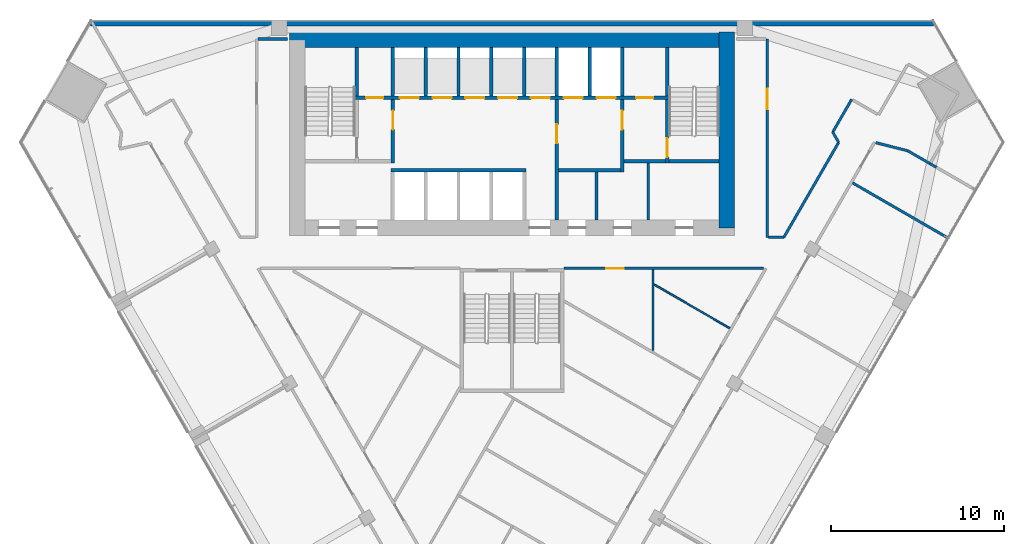
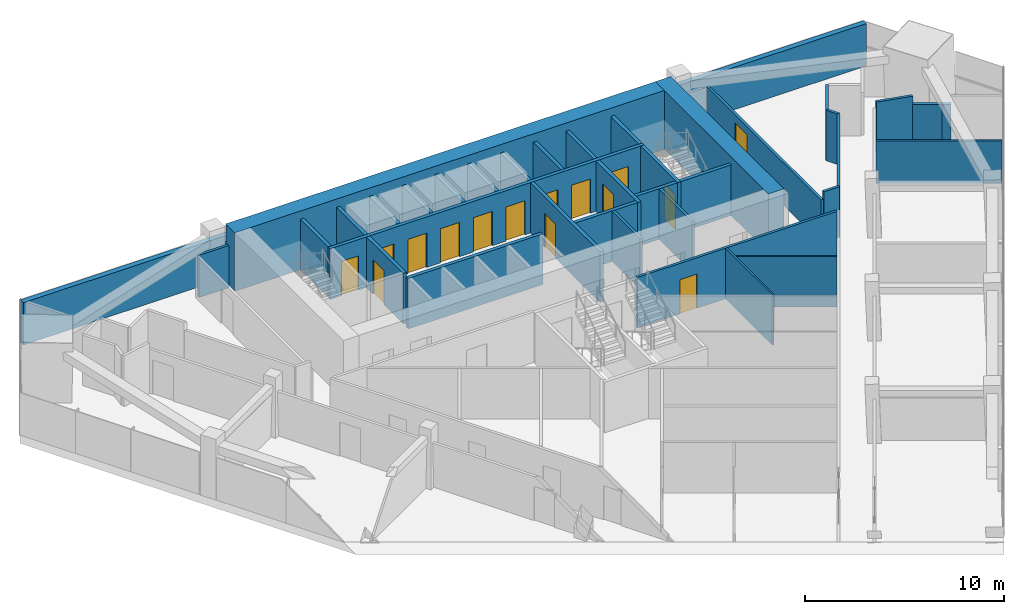
# One storey, part 11 of 14: 37 walls, 15 doors, 15 openings.
"""IFC4 building model written with IfcOpenShell, lengths in metres."""

from ifc_helpers import new_model, si_unit, direction, frame, frame_2d, origin, place, context, subcontext, project, spatial, rectangle, extrude, material, layer, layer_set, type_object, element, fill, save


model = new_model("IFC4")

# Units and contexts
model_context = context("Model", 3, precision=1e-05, world=origin(), true_north=direction((0.0, 1.0)))
body_context = subcontext(model_context, "Body", "Model", "MODEL_VIEW")
ifc_project = project(units=[si_unit("LENGTHUNIT", "METRE"), si_unit("AREAUNIT", "SQUARE_METRE"), si_unit("VOLUMEUNIT", "CUBIC_METRE"), si_unit("PLANEANGLEUNIT", "RADIAN"), si_unit("MASSUNIT", "GRAM", prefix="KILO")], contexts=[model_context])

# Site, building, storey
site_placement = place(None, origin())
site = spatial("IfcSite", under=ifc_project, at=site_placement, CompositionType="ELEMENT")
building_placement = place(site_placement, origin())
building = spatial("IfcBuilding", under=site, at=building_placement, Name="Altiplano Prism Tower", CompositionType="ELEMENT")
storey_placement = place(building_placement, frame((0.0, 0.0, 111.60009765625)))
storey = spatial("IfcBuildingStorey", under=building, at=storey_placement, Name="L28", CompositionType="ELEMENT", Elevation=111.60009765625)

# Walls
ifc_material_1 = material(Name="Concrete C70/85", Category="concrete")
ifc_layer_1 = layer(ifc_material_1, 0.89990234375)
ifc_layer_set_1 = layer_set([ifc_layer_1], Name="Concrete C70/85")
wall_type_1 = type_object("IfcWallType", Name="Core wall 900", PredefinedType="SHEAR", material=ifc_layer_set_1)
wall_1_placement = place(storey_placement, frame((97.449951171875, 92.949951171875, 0.0), z_axis=(0.0, 0.0, 1.0), x_axis=(0.0, 1.0, 0.0)))
element("IfcWall", 1, at=wall_1_placement, inside=storey, type_object=wall_type_1, Name="Core wall E L28", PredefinedType="SHEAR", context=body_context, shape_type="SweptSolid", body=[
    extrude(rectangle(XDim=11.35009765625, YDim=0.89990234375, at=frame_2d((5.675048828125, 0.0))), origin(), (0.0, 0.0, 1.0), 3.599853515625),
])
wall_2_placement = place(storey_placement, frame((97.449951171875, 103.85009765625, 0.0), z_axis=(0.0, 0.0, 1.0), x_axis=(-1.0, 0.0, 0.0)))
element("IfcWall", 2, at=wall_2_placement, inside=storey, type_object=wall_type_1, Name="Core wall N L28", PredefinedType="SHEAR", context=body_context, shape_type="SweptSolid", body=[
    extrude(rectangle(XDim=25.349853515625, YDim=0.89990234375, at=frame_2d((12.6748046875, 0.0))), origin(), (0.0, 0.0, 1.0), 3.599853515625),
])
ifc_material_2 = material(Name="Plasterboard on steel stud", Category="steel")
ifc_layer_2 = layer(ifc_material_2, 0.10009765625)
ifc_layer_set_2 = layer_set([ifc_layer_2], Name="Plasterboard on steel stud")
wall_type_2 = type_object("IfcWallType", Name="Partition 100 wet", PredefinedType="PARTITIONING", material=ifc_layer_set_2)
wall_3_placement = place(storey_placement, frame((93.243896484375, 89.664306640625, 0.0), z_axis=(0.0, 0.0, 1.0), x_axis=(0.866023345283, -0.500003565412, 0.0)))
element("IfcWall", 3, at=wall_3_placement, inside=storey, type_object=wall_type_2, Name="Partition P03 L28 034", PredefinedType="PARTITIONING", context=body_context, shape_type="SweptSolid", body=[
    extrude(rectangle(XDim=5.06201171875, YDim=0.10009765625, at=frame_2d((2.531005859375, 0.0))), origin(), (0.0, 0.0, 1.0), 3.099853515625),
])
wall_4_placement = place(storey_placement, frame((93.1689453125, 90.5244140625, 0.0), z_axis=(0.0, 0.0, 1.0), x_axis=(0.0, -1.0, 0.0)))
element("IfcWall", 4, at=wall_4_placement, inside=storey, type_object=wall_type_2, Name="Partition P03 L28 036", PredefinedType="PARTITIONING", context=body_context, shape_type="SweptSolid", body=[
    extrude(rectangle(XDim=4.675537109375, YDim=0.10009765625, at=frame_2d((2.337890625, 0.0))), origin(), (0.0, 0.0, 1.0), 3.099853515625),
])

# Wall, opening, door
ifc_layer_3 = layer(ifc_material_2, 0.14990234375)
ifc_layer_set_3 = layer_set([ifc_layer_3], Name="Plasterboard on steel stud")
wall_type_3 = type_object("IfcWallType", Name="Partition 150 corridor", PredefinedType="PARTITIONING", material=ifc_layer_set_3)
wall_5_placement = place(storey_placement, frame((88.0, 90.59912109375, 0.0), z_axis=(0.0, 0.0, 1.0), x_axis=(0.999999996448, 8.429038e-05, 0.0)))
wall_5 = element("IfcWall", 5, at=wall_5_placement, inside=storey, type_object=wall_type_3, Name="Partition P06 L28 001", PredefinedType="PARTITIONING", context=body_context, shape_type="SweptSolid", body=[
    extrude(rectangle(XDim=11.585693359375, YDim=0.14990234375, at=frame_2d((5.79296875, 0.0))), origin(), (0.0, 0.0, 1.0), 3.099853515625),
])
opening_1_placement = place(wall_5_placement, frame((2.465087890625, 0.0, 0.0)))
opening_1 = element("IfcOpeningElement", 6, at=opening_1_placement, cuts=wall_5, Name="Opening D1044", PredefinedType="OPENING", context=body_context, shape_type="SweptSolid", body=[
    extrude(rectangle(XDim=1.0, YDim=2.10009765625, at=frame_2d((0.5, 1.050048828125))), frame((0.0, 0.08544921875, 0.0), z_axis=(0.0, -1.0, 0.0), x_axis=(1.0, 0.0, 0.0)), (0.0, 0.0, 1.0), 0.1708984375),
])
ifc_material_3 = material(Name="Timber", Category="wood")
door_type_1 = type_object("IfcDoorType", Name="Room door 1000 x 2100", OperationType="NOTDEFINED", PredefinedType="NOTDEFINED", material=ifc_material_3)
door_1_placement = place(opening_1_placement, origin())
door_1 = element("IfcDoor", 7, at=door_1_placement, inside=storey, type_object=door_type_1, Name="Door D1044", OperationType="SINGLE_SWING_RIGHT", OverallHeight=2.10009765625, OverallWidth=1.0, PredefinedType="NOTDEFINED", context=body_context, shape_type="SweptSolid", body=[
    extrude(rectangle(XDim=1.0, YDim=2.10009765625, at=frame_2d((0.5, 1.050048828125))), frame((0.0, 0.02490234375, 0.0), z_axis=(0.0, -1.0, 0.0), x_axis=(1.0, 0.0, 0.0)), (0.0, 0.0, 1.0), 0.050048828125),
])
fill(opening_1, door_1)

# Walls
wall_6_placement = place(storey_placement, frame((106.082275390625, 97.888671875, 0.0), z_axis=(0.0, 0.0, 1.0), x_axis=(0.969923333145, -0.24341061567, 0.0)))
element("IfcWall", 8, at=wall_6_placement, inside=storey, type_object=wall_type_3, Name="Partition P06 L28 011", PredefinedType="PARTITIONING", context=body_context, shape_type="SweptSolid", body=[
    extrude(rectangle(XDim=1.90380859375, YDim=0.14990234375, at=frame_2d((0.951904296875, 0.0))), origin(), (0.0, 0.0, 1.0), 3.099853515625),
])
wall_7_placement = place(storey_placement, frame((107.9287109375, 97.42529296875, 0.0), z_axis=(0.0, 0.0, 1.0), x_axis=(0.866030456496, -0.499991248344, 0.0)))
element("IfcWall", 9, at=wall_7_placement, inside=storey, type_object=wall_type_3, Name="Partition P06 L28 012", PredefinedType="PARTITIONING", context=body_context, shape_type="SweptSolid", body=[
    extrude(rectangle(XDim=1.52001953125, YDim=0.14990234375, at=frame_2d((0.760009765625, 0.0))), origin(), (0.0, 0.0, 1.0), 2.599853515625),
])
wall_8_placement = place(storey_placement, frame((104.68798828125, 100.39990234375, 0.0), z_axis=(0.0, 0.0, 1.0), x_axis=(-0.500005024956, -0.866022502605, 0.0)))
element("IfcWall", 10, at=wall_8_placement, inside=storey, type_object=wall_type_3, Name="Partition P06 L28 019", PredefinedType="PARTITIONING", context=body_context, shape_type="SweptSolid", body=[
    extrude(rectangle(XDim=2.19384765625, YDim=0.14990234375, at=frame_2d((1.096923828125, 0.0))), origin(), (0.0, 0.0, 1.0), 3.099853515625),
])
wall_9_placement = place(storey_placement, frame((103.591064453125, 98.5, 0.0), z_axis=(0.0, 0.0, 1.0), x_axis=(0.499969057507, -0.866043267704, 0.0)))
element("IfcWall", 11, at=wall_9_placement, inside=storey, type_object=wall_type_3, Name="Partition P06 L28 020", PredefinedType="PARTITIONING", context=body_context, shape_type="SweptSolid", body=[
    extrude(rectangle(XDim=0.685546875, YDim=0.14990234375, at=frame_2d((0.3427734375, 0.0))), origin(), (0.0, 0.0, 1.0), 3.099853515625),
])
wall_10_placement = place(storey_placement, frame((103.933837890625, 97.90625, 0.0), z_axis=(0.0, 0.0, 1.0), x_axis=(-0.499983931063, -0.866034680991, 0.0)))
element("IfcWall", 12, at=wall_10_placement, inside=storey, type_object=wall_type_3, Name="Partition P06 L28 021", PredefinedType="PARTITIONING", context=body_context, shape_type="SweptSolid", body=[
    extrude(rectangle(XDim=6.358154296875, YDim=0.14990234375, at=frame_2d((3.17919921875, 0.0))), origin(), (0.0, 0.0, 1.0), 3.099853515625),
])
wall_11_placement = place(storey_placement, frame((100.7548828125, 92.39990234375, 0.0), z_axis=(0.0, 0.0, 1.0), x_axis=(-1.0, 0.0, 0.0)))
element("IfcWall", 13, at=wall_11_placement, inside=storey, type_object=wall_type_3, Name="Partition P06 L28 022", PredefinedType="PARTITIONING", context=body_context, shape_type="SweptSolid", body=[
    extrude(rectangle(XDim=0.8798828125, YDim=0.14990234375, at=frame_2d((0.43994140625, 0.0))), origin(), (0.0, 0.0, 1.0), 3.099853515625),
])

# Wall, opening, door
wall_12_placement = place(storey_placement, frame((99.800048828125, 92.39990234375, 0.0), z_axis=(0.0, 0.0, 1.0), x_axis=(0.0, 1.0, 0.0)))
wall_12 = element("IfcWall", 14, at=wall_12_placement, inside=storey, type_object=wall_type_3, Name="Partition P06 L28 023", PredefinedType="PARTITIONING", context=body_context, shape_type="SweptSolid", body=[
    extrude(rectangle(XDim=11.5, YDim=0.14990234375, at=frame_2d((5.75, 0.0))), origin(), (0.0, 0.0, 1.0), 2.599853515625),
])
opening_2_placement = place(wall_12_placement, frame((7.425048828125, 0.0, 0.0)))
opening_2 = element("IfcOpeningElement", 15, at=opening_2_placement, cuts=wall_12, Name="Opening D1032", PredefinedType="OPENING", context=body_context, shape_type="SweptSolid", body=[
    extrude(rectangle(XDim=1.199951171875, YDim=2.10009765625, at=frame_2d((0.60009765625, 1.050048828125))), frame((0.0, 0.08544921875, 0.0), z_axis=(0.0, -1.0, 0.0), x_axis=(1.0, 0.0, 0.0)), (0.0, 0.0, 1.0), 0.1708984375),
])
door_type_2 = type_object("IfcDoorType", Name="Shared room door 1200 x 2100", OperationType="NOTDEFINED", PredefinedType="NOTDEFINED", material=ifc_material_3)
door_2_placement = place(opening_2_placement, origin())
door_2 = element("IfcDoor", 16, at=door_2_placement, inside=storey, type_object=door_type_2, Name="Door D1032", OperationType="SINGLE_SWING_LEFT", OverallHeight=2.10009765625, OverallWidth=1.199951171875, PredefinedType="NOTDEFINED", context=body_context, shape_type="SweptSolid", body=[
    extrude(rectangle(XDim=1.199951171875, YDim=2.10009765625, at=frame_2d((0.60009765625, 1.050048828125))), frame((0.0, 0.02490234375, 0.0), z_axis=(0.0, -1.0, 0.0), x_axis=(1.0, 0.0, 0.0)), (0.0, 0.0, 1.0), 0.050048828125),
])
fill(opening_2, door_2)

# Walls
wall_13_placement = place(storey_placement, frame((72.0, 103.89990234375, 0.0), z_axis=(0.0, 0.0, 1.0), x_axis=(-1.0, 0.0, 0.0)))
element("IfcWall", 17, at=wall_13_placement, inside=storey, type_object=wall_type_3, Name="Partition P06 L28 025", PredefinedType="PARTITIONING", context=body_context, shape_type="SweptSolid", body=[
    extrude(rectangle(XDim=1.72509765625, YDim=0.14990234375, at=frame_2d((0.862548828125, 0.0))), origin(), (0.0, 0.0, 1.0), 2.599853515625),
])
ifc_layer_4 = layer(ifc_material_2, 0.14990234375)
ifc_layer_set_4 = layer_set([ifc_layer_4], Name="Plasterboard on steel stud")
wall_type_4 = type_object("IfcWallType", Name="Partition 150 party", PredefinedType="PARTITIONING", material=ifc_layer_set_4)
wall_14_placement = place(storey_placement, frame((110.22021484375, 92.394287109375, 0.0), z_axis=(0.0, 0.0, 1.0), x_axis=(-0.866015887322, 0.500016482634, 0.0)))
element("IfcWall", 18, at=wall_14_placement, inside=storey, type_object=wall_type_4, Name="Partition P01 L28 050", PredefinedType="PARTITIONING", context=body_context, shape_type="SweptSolid", body=[
    extrude(rectangle(XDim=6.324951171875, YDim=0.14990234375, at=frame_2d((3.16259765625, 0.0))), origin(), (0.0, 0.0, 1.0), 2.599853515625),
])
wall_15_placement = place(storey_placement, frame((109.603271484375, 96.45849609375, 0.0), z_axis=(0.0, 0.0, 1.0), x_axis=(-0.866016800201, 0.500014901547, 0.0)))
element("IfcWall", 19, at=wall_15_placement, inside=storey, type_object=wall_type_4, Name="Partition P01 L28 052", PredefinedType="PARTITIONING", context=body_context, shape_type="SweptSolid", body=[
    extrude(rectangle(XDim=0.43359375, YDim=0.14990234375, at=frame_2d((0.216796875, 0.0))), origin(), (0.0, 0.0, 1.0), 2.599853515625),
])
ifc_material_4 = material(Name="Fire-rated gypsum board partition")
ifc_layer_5 = layer(ifc_material_4, 0.14990234375)
ifc_layer_set_5 = layer_set([ifc_layer_5], Name="Fire-rated gypsum board partition")
wall_type_5 = type_object("IfcWallType", Name="Room partition 150", PredefinedType="PARTITIONING", material=ifc_layer_set_5)
wall_16_placement = place(storey_placement, frame((89.89990234375, 93.39990234375, 0.0), z_axis=(0.0, 0.0, 1.0), x_axis=(0.0, 1.0, 0.0)))
element("IfcWall", 20, at=wall_16_placement, inside=storey, type_object=wall_type_5, Name="Room partition L28", PredefinedType="PARTITIONING", context=body_context, shape_type="SweptSolid", body=[
    extrude(rectangle(XDim=2.800048828125, YDim=0.14990234375, at=frame_2d((1.39990234375, 0.0))), origin(), (0.0, 0.0, 1.0), 3.099853515625),
])
wall_17_placement = place(storey_placement, frame((92.89990234375, 93.39990234375, 0.0), z_axis=(0.0, 0.0, 1.0), x_axis=(0.0, 1.0, 0.0)))
element("IfcWall", 21, at=wall_17_placement, inside=storey, type_object=wall_type_5, Name="Room partition L28", PredefinedType="PARTITIONING", context=body_context, shape_type="SweptSolid", body=[
    extrude(rectangle(XDim=3.300048828125, YDim=0.14990234375, at=frame_2d((1.64990234375, 0.0))), origin(), (0.0, 0.0, 1.0), 3.099853515625),
])
ifc_material_5 = material(Name="Concrete C60/75", Category="concrete")
ifc_layer_6 = layer(ifc_material_5, 0.199951171875)
ifc_layer_set_6 = layer_set([ifc_layer_6], Name="Concrete C60/75")
wall_type_6 = type_object("IfcWallType", Name="Shaft wall 200", PredefinedType="SOLIDWALL", material=ifc_layer_set_6)
wall_18_placement = place(storey_placement, frame((78.0, 96.300048828125, 0.0), z_axis=(0.0, 0.0, 1.0), x_axis=(1.0, 0.0, 0.0)))
element("IfcWall", 22, at=wall_18_placement, inside=storey, type_object=wall_type_6, Name="Shaft wall L28", PredefinedType="SOLIDWALL", context=body_context, shape_type="SweptSolid", body=[
    extrude(rectangle(XDim=7.800048828125, YDim=0.199951171875, at=frame_2d((3.89990234375, 0.0))), origin(), (0.0, 0.0, 1.0), 3.099853515625),
])
for number, where, z_axis, x_axis, name in (
    (23, (78.10009765625, 100.60009765625, 0.0), (0.0, 0.0, 1.0), (0.0, 1.0, 0.0), "Shaft wall L28"),
    (24, (80.0, 100.60009765625, 0.0), (0.0, 0.0, 1.0), (0.0, 1.0, 0.0), "Shaft wall L28"),
    (25, (81.89990234375, 100.60009765625, 0.0), (0.0, 0.0, 1.0), (0.0, 1.0, 0.0), "Shaft wall L28"),
    (26, (83.800048828125, 100.60009765625, 0.0), (0.0, 0.0, 1.0), (0.0, 1.0, 0.0), "Shaft wall L28"),
    (27, (85.699951171875, 100.60009765625, 0.0), (0.0, 0.0, 1.0), (0.0, 1.0, 0.0), "Shaft wall L28"),
    (28, (87.60009765625, 100.60009765625, 0.0), (0.0, 0.0, 1.0), (0.0, 1.0, 0.0), "Shaft wall L28"),
    (29, (89.5, 100.60009765625, 0.0), (0.0, 0.0, 1.0), (0.0, 1.0, 0.0), "Shaft wall L28"),
    (30, (91.39990234375, 100.60009765625, 0.0), (0.0, 0.0, 1.0), (0.0, 1.0, 0.0), "Shaft wall L28"),
):
    element("IfcWall", number, at=place(storey_placement, frame(where, z_axis=z_axis, x_axis=x_axis)), inside=storey, type_object=wall_type_6, Name=name, PredefinedType="SOLIDWALL", context=body_context, shape_type="SweptSolid", body=[
        extrude(rectangle(XDim=2.7998046875, YDim=0.199951171875, at=frame_2d((1.39990234375, 0.0))), origin(), (0.0, 0.0, 1.0), 3.099853515625),
    ])

# Wall, opening, door
ifc_layer_7 = layer(ifc_material_5, 0.199951171875)
ifc_layer_set_7 = layer_set([ifc_layer_7], Name="Concrete C60/75")
wall_type_7 = type_object("IfcWallType", Name="Stair wall 200", PredefinedType="SOLIDWALL", material=ifc_layer_set_7)
wall_19_placement = place(storey_placement, frame((94.0, 96.699951171875, 0.0), z_axis=(0.0, 0.0, 1.0), x_axis=(0.0, 1.0, 0.0)))
wall_19 = element("IfcWall", 31, at=wall_19_placement, inside=storey, type_object=wall_type_7, Name="Stair wall L28", PredefinedType="SOLIDWALL", context=body_context, shape_type="SweptSolid", body=[
    extrude(rectangle(XDim=3.699951171875, YDim=0.199951171875, at=frame_2d((1.85009765625, 0.0))), origin(), (0.0, 0.0, 1.0), 3.099853515625),
])
opening_3_placement = place(wall_19_placement, frame((0.35009765625, 0.0, 0.0)))
opening_3 = element("IfcOpeningElement", 32, at=opening_3_placement, cuts=wall_19, Name="Opening D2960", PredefinedType="OPENING", context=body_context, shape_type="SweptSolid", body=[
    extrude(rectangle(XDim=1.10009765625, YDim=2.10009765625, at=frame_2d((0.550048828125, 1.050048828125))), frame((0.0, 0.1103515625, 0.0), z_axis=(0.0, -1.0, 0.0), x_axis=(1.0, 0.0, 0.0)), (0.0, 0.0, 1.0), 0.220947265625),
])
ifc_material_6 = material(Name="Fire-rated steel door", Category="steel")
door_type_3 = type_object("IfcDoorType", Name="Stair fire door 1100 x 2100", OperationType="NOTDEFINED", PredefinedType="NOTDEFINED", material=ifc_material_6)
door_3_placement = place(opening_3_placement, origin())
door_3 = element("IfcDoor", 33, at=door_3_placement, inside=storey, type_object=door_type_3, Name="Stair fire door D2960", OperationType="SINGLE_SWING_LEFT", OverallHeight=2.10009765625, OverallWidth=1.10009765625, PredefinedType="NOTDEFINED", context=body_context, shape_type="SweptSolid", body=[
    extrude(rectangle(XDim=1.10009765625, YDim=2.10009765625, at=frame_2d((0.550048828125, 1.050048828125))), frame((0.0, 0.02490234375, 0.0), z_axis=(0.0, -1.0, 0.0), x_axis=(1.0, 0.0, 0.0)), (0.0, 0.0, 1.0), 0.050048828125),
])
fill(opening_3, door_3)

# Wall
wall_20_placement = place(storey_placement, frame((94.10009765625, 96.800048828125, 0.0), z_axis=(0.0, 0.0, 1.0), x_axis=(1.0, 0.0, 0.0)))
element("IfcWall", 34, at=wall_20_placement, inside=storey, type_object=wall_type_7, Name="Stair wall L28", PredefinedType="SOLIDWALL", context=body_context, shape_type="SweptSolid", body=[
    extrude(rectangle(XDim=2.89990234375, YDim=0.199951171875, at=frame_2d((1.449951171875, 0.0))), origin(), (0.0, 0.0, 1.0), 3.099853515625),
])

# Wall, openings, doors
wall_21_placement = place(storey_placement, frame((75.89990234375, 100.5, 0.0), z_axis=(0.0, 0.0, 1.0), x_axis=(1.0, 0.0, 0.0)))
wall_21 = element("IfcWall", 35, at=wall_21_placement, inside=storey, type_object=wall_type_7, Name="Stair wall L28", PredefinedType="SOLIDWALL", context=body_context, shape_type="SweptSolid", body=[
    extrude(rectangle(XDim=18.2001953125, YDim=0.199951171875, at=frame_2d((9.10009765625, 0.0))), origin(), (0.0, 0.0, 1.0), 3.099853515625),
])
opening_4_placement = place(wall_21_placement, frame((2.60009765625, 0.0, 0.0)))
opening_4 = element("IfcOpeningElement", 36, at=opening_4_placement, cuts=wall_21, Name="Opening LD-LL1-L28", PredefinedType="OPENING", context=body_context, shape_type="SweptSolid", body=[
    extrude(rectangle(XDim=1.10009765625, YDim=2.10009765625, at=frame_2d((0.550048828125, 1.050048828125))), frame((0.0, 0.1103515625, 0.0), z_axis=(0.0, -1.0, 0.0), x_axis=(1.0, 0.0, 0.0)), (0.0, 0.0, 1.0), 0.220947265625),
])
opening_5_placement = place(wall_21_placement, frame((4.5, 0.0, 0.0)))
opening_5 = element("IfcOpeningElement", 37, at=opening_5_placement, cuts=wall_21, Name="Opening LD-LL2-L28", PredefinedType="OPENING", context=body_context, shape_type="SweptSolid", body=[
    extrude(rectangle(XDim=1.10009765625, YDim=2.10009765625, at=frame_2d((0.550048828125, 1.050048828125))), frame((0.0, 0.1103515625, 0.0), z_axis=(0.0, -1.0, 0.0), x_axis=(1.0, 0.0, 0.0)), (0.0, 0.0, 1.0), 0.220947265625),
])
opening_6_placement = place(wall_21_placement, frame((6.39990234375, 0.0, 0.0)))
opening_6 = element("IfcOpeningElement", 38, at=opening_6_placement, cuts=wall_21, Name="Opening LD-LL3-L28", PredefinedType="OPENING", context=body_context, shape_type="SweptSolid", body=[
    extrude(rectangle(XDim=1.10009765625, YDim=2.10009765625, at=frame_2d((0.550048828125, 1.050048828125))), frame((0.0, 0.1103515625, 0.0), z_axis=(0.0, -1.0, 0.0), x_axis=(1.0, 0.0, 0.0)), (0.0, 0.0, 1.0), 0.220947265625),
])
opening_7_placement = place(wall_21_placement, frame((8.300048828125, 0.0, 0.0)))
opening_7 = element("IfcOpeningElement", 39, at=opening_7_placement, cuts=wall_21, Name="Opening LD-LL4-L28", PredefinedType="OPENING", context=body_context, shape_type="SweptSolid", body=[
    extrude(rectangle(XDim=1.10009765625, YDim=2.10009765625, at=frame_2d((0.550048828125, 1.050048828125))), frame((0.0, 0.1103515625, 0.0), z_axis=(0.0, -1.0, 0.0), x_axis=(1.0, 0.0, 0.0)), (0.0, 0.0, 1.0), 0.220947265625),
])
opening_8_placement = place(wall_21_placement, frame((10.199951171875, 0.0, 0.0)))
opening_8 = element("IfcOpeningElement", 40, at=opening_8_placement, cuts=wall_21, Name="Opening LD-LL5-L28", PredefinedType="OPENING", context=body_context, shape_type="SweptSolid", body=[
    extrude(rectangle(XDim=1.10009765625, YDim=2.10009765625, at=frame_2d((0.550048828125, 1.050048828125))), frame((0.0, 0.1103515625, 0.0), z_axis=(0.0, -1.0, 0.0), x_axis=(1.0, 0.0, 0.0)), (0.0, 0.0, 1.0), 0.220947265625),
])
opening_9_placement = place(wall_21_placement, frame((12.10009765625, 0.0, 0.0)))
opening_9 = element("IfcOpeningElement", 41, at=opening_9_placement, cuts=wall_21, Name="Opening LD-FF1-L28", PredefinedType="OPENING", context=body_context, shape_type="SweptSolid", body=[
    extrude(rectangle(XDim=1.10009765625, YDim=2.10009765625, at=frame_2d((0.550048828125, 1.050048828125))), frame((0.0, 0.1103515625, 0.0), z_axis=(0.0, -1.0, 0.0), x_axis=(1.0, 0.0, 0.0)), (0.0, 0.0, 1.0), 0.220947265625),
])
opening_10_placement = place(wall_21_placement, frame((14.0, 0.0, 0.0)))
opening_10 = element("IfcOpeningElement", 42, at=opening_10_placement, cuts=wall_21, Name="Opening LD-FF2-L28", PredefinedType="OPENING", context=body_context, shape_type="SweptSolid", body=[
    extrude(rectangle(XDim=1.10009765625, YDim=2.10009765625, at=frame_2d((0.550048828125, 1.050048828125))), frame((0.0, 0.1103515625, 0.0), z_axis=(0.0, -1.0, 0.0), x_axis=(1.0, 0.0, 0.0)), (0.0, 0.0, 1.0), 0.220947265625),
])
opening_11_placement = place(wall_21_placement, frame((0.64990234375, 0.0, 0.0)))
opening_11 = element("IfcOpeningElement", 43, at=opening_11_placement, cuts=wall_21, Name="Opening D2967", PredefinedType="OPENING", context=body_context, shape_type="SweptSolid", body=[
    extrude(rectangle(XDim=1.0, YDim=2.10009765625, at=frame_2d((0.5, 1.050048828125))), frame((0.0, 0.1103515625, 0.0), z_axis=(0.0, -1.0, 0.0), x_axis=(1.0, 0.0, 0.0)), (0.0, 0.0, 1.0), 0.220947265625),
])
opening_12_placement = place(wall_21_placement, frame((16.300048828125, 0.0, 0.0)))
opening_12 = element("IfcOpeningElement", 44, at=opening_12_placement, cuts=wall_21, Name="Opening D2968", PredefinedType="OPENING", context=body_context, shape_type="SweptSolid", body=[
    extrude(rectangle(XDim=1.0, YDim=2.10009765625, at=frame_2d((0.5, 1.050048828125))), frame((0.0, 0.1103515625, 0.0), z_axis=(0.0, -1.0, 0.0), x_axis=(1.0, 0.0, 0.0)), (0.0, 0.0, 1.0), 0.220947265625),
])
door_type_4 = type_object("IfcDoorType", Name="Core room door 1000 x 2100", OperationType="NOTDEFINED", PredefinedType="NOTDEFINED", material=ifc_material_6)
door_4_placement = place(opening_11_placement, origin())
door_4 = element("IfcDoor", 45, at=door_4_placement, inside=storey, type_object=door_type_4, Name="Core room door D2967", OperationType="SINGLE_SWING_LEFT", OverallHeight=2.10009765625, OverallWidth=1.0, PredefinedType="NOTDEFINED", context=body_context, shape_type="SweptSolid", body=[
    extrude(rectangle(XDim=1.0, YDim=2.10009765625, at=frame_2d((0.5, 1.050048828125))), frame((0.0, 0.02490234375, 0.0), z_axis=(0.0, -1.0, 0.0), x_axis=(1.0, 0.0, 0.0)), (0.0, 0.0, 1.0), 0.050048828125),
])
fill(opening_11, door_4)
door_5_placement = place(opening_12_placement, origin())
door_5 = element("IfcDoor", 46, at=door_5_placement, inside=storey, type_object=door_type_4, Name="Core room door D2968", OperationType="SINGLE_SWING_RIGHT", OverallHeight=2.10009765625, OverallWidth=1.0, PredefinedType="NOTDEFINED", context=body_context, shape_type="SweptSolid", body=[
    extrude(rectangle(XDim=1.0, YDim=2.10009765625, at=frame_2d((0.5, 1.050048828125))), frame((0.0, 0.02490234375, 0.0), z_axis=(0.0, -1.0, 0.0), x_axis=(1.0, 0.0, 0.0)), (0.0, 0.0, 1.0), 0.050048828125),
])
fill(opening_12, door_5)
ifc_material_7 = material(Name="Stainless steel landing door", Category="steel")
door_type_5 = type_object("IfcDoorType", Name="Landing door 1100 x 2100", OperationType="NOTDEFINED", PredefinedType="NOTDEFINED", material=ifc_material_7)
door_6_placement = place(opening_4_placement, origin())
door_6 = element("IfcDoor", 47, at=door_6_placement, inside=storey, type_object=door_type_5, Name="Landing doors LL1", OperationType="SLIDING_TO_RIGHT", OverallHeight=2.10009765625, OverallWidth=1.10009765625, PredefinedType="NOTDEFINED", context=body_context, shape_type="SweptSolid", body=[
    extrude(rectangle(XDim=1.10009765625, YDim=2.10009765625, at=frame_2d((0.550048828125, 1.050048828125))), frame((0.0, 0.02490234375, 0.0), z_axis=(0.0, -1.0, 0.0), x_axis=(1.0, 0.0, 0.0)), (0.0, 0.0, 1.0), 0.050048828125),
])
fill(opening_4, door_6)
door_7_placement = place(opening_5_placement, origin())
door_7 = element("IfcDoor", 48, at=door_7_placement, inside=storey, type_object=door_type_5, Name="Landing doors LL2", OperationType="SLIDING_TO_LEFT", OverallHeight=2.10009765625, OverallWidth=1.10009765625, PredefinedType="NOTDEFINED", context=body_context, shape_type="SweptSolid", body=[
    extrude(rectangle(XDim=1.10009765625, YDim=2.10009765625, at=frame_2d((0.550048828125, 1.050048828125))), frame((0.0, 0.02490234375, 0.0), z_axis=(0.0, -1.0, 0.0), x_axis=(1.0, 0.0, 0.0)), (0.0, 0.0, 1.0), 0.050048828125),
])
fill(opening_5, door_7)
door_8_placement = place(opening_6_placement, origin())
door_8 = element("IfcDoor", 49, at=door_8_placement, inside=storey, type_object=door_type_5, Name="Landing doors LL3", OperationType="SLIDING_TO_RIGHT", OverallHeight=2.10009765625, OverallWidth=1.10009765625, PredefinedType="NOTDEFINED", context=body_context, shape_type="SweptSolid", body=[
    extrude(rectangle(XDim=1.10009765625, YDim=2.10009765625, at=frame_2d((0.550048828125, 1.050048828125))), frame((0.0, 0.02490234375, 0.0), z_axis=(0.0, -1.0, 0.0), x_axis=(1.0, 0.0, 0.0)), (0.0, 0.0, 1.0), 0.050048828125),
])
fill(opening_6, door_8)
door_9_placement = place(opening_7_placement, origin())
door_9 = element("IfcDoor", 50, at=door_9_placement, inside=storey, type_object=door_type_5, Name="Landing doors LL4", OperationType="SLIDING_TO_LEFT", OverallHeight=2.10009765625, OverallWidth=1.10009765625, PredefinedType="NOTDEFINED", context=body_context, shape_type="SweptSolid", body=[
    extrude(rectangle(XDim=1.10009765625, YDim=2.10009765625, at=frame_2d((0.550048828125, 1.050048828125))), frame((0.0, 0.02490234375, 0.0), z_axis=(0.0, -1.0, 0.0), x_axis=(1.0, 0.0, 0.0)), (0.0, 0.0, 1.0), 0.050048828125),
])
fill(opening_7, door_9)
door_10_placement = place(opening_8_placement, origin())
door_10 = element("IfcDoor", 51, at=door_10_placement, inside=storey, type_object=door_type_5, Name="Landing doors LL5", OperationType="SLIDING_TO_RIGHT", OverallHeight=2.10009765625, OverallWidth=1.10009765625, PredefinedType="NOTDEFINED", context=body_context, shape_type="SweptSolid", body=[
    extrude(rectangle(XDim=1.10009765625, YDim=2.10009765625, at=frame_2d((0.550048828125, 1.050048828125))), frame((0.0, 0.02490234375, 0.0), z_axis=(0.0, -1.0, 0.0), x_axis=(1.0, 0.0, 0.0)), (0.0, 0.0, 1.0), 0.050048828125),
])
fill(opening_8, door_10)
door_11_placement = place(opening_9_placement, origin())
door_11 = element("IfcDoor", 52, at=door_11_placement, inside=storey, type_object=door_type_5, Name="Landing doors FF1", OperationType="SLIDING_TO_RIGHT", OverallHeight=2.10009765625, OverallWidth=1.10009765625, PredefinedType="NOTDEFINED", context=body_context, shape_type="SweptSolid", body=[
    extrude(rectangle(XDim=1.10009765625, YDim=2.10009765625, at=frame_2d((0.550048828125, 1.050048828125))), frame((0.0, 0.02490234375, 0.0), z_axis=(0.0, -1.0, 0.0), x_axis=(1.0, 0.0, 0.0)), (0.0, 0.0, 1.0), 0.050048828125),
])
fill(opening_9, door_11)
door_12_placement = place(opening_10_placement, origin())
door_12 = element("IfcDoor", 53, at=door_12_placement, inside=storey, type_object=door_type_5, Name="Landing doors FF2", OperationType="SLIDING_TO_LEFT", OverallHeight=2.10009765625, OverallWidth=1.10009765625, PredefinedType="NOTDEFINED", context=body_context, shape_type="SweptSolid", body=[
    extrude(rectangle(XDim=1.10009765625, YDim=2.10009765625, at=frame_2d((0.550048828125, 1.050048828125))), frame((0.0, 0.02490234375, 0.0), z_axis=(0.0, -1.0, 0.0), x_axis=(1.0, 0.0, 0.0)), (0.0, 0.0, 1.0), 0.050048828125),
])
fill(opening_10, door_12)

# Walls
for number, where, z_axis, x_axis, name in (
    (54, (76.0, 100.60009765625, 0.0), (0.0, 0.0, 1.0), (0.0, 1.0, 0.0), "Stair wall L28"),
    (55, (94.0, 100.60009765625, 0.0), (0.0, 0.0, 1.0), (0.0, 1.0, 0.0), "Stair wall L28"),
):
    element("IfcWall", number, at=place(storey_placement, frame(where, z_axis=z_axis, x_axis=x_axis)), inside=storey, type_object=wall_type_7, Name=name, PredefinedType="SOLIDWALL", context=body_context, shape_type="SweptSolid", body=[
        extrude(rectangle(XDim=2.7998046875, YDim=0.199951171875, at=frame_2d((1.39990234375, 0.0))), origin(), (0.0, 0.0, 1.0), 3.099853515625),
    ])
ifc_material_8 = material(Name="Concrete C40", Category="concrete")
ifc_layer_8 = layer(ifc_material_8, 0.300048828125)
ifc_layer_set_8 = layer_set([ifc_layer_8], Name="Concrete C40")
wall_type_8 = type_object("IfcWallType", Name="Stone-clad external wall 300", PredefinedType="SOLIDWALL", material=ifc_layer_set_8)
wall_22_placement = place(storey_placement, frame((60.57763671875, 104.7900390625, 0.0), z_axis=(0.0, 0.0, 1.0), x_axis=(1.0, 0.0, 0.0)))
element("IfcWall", 56, at=wall_22_placement, inside=storey, type_object=wall_type_8, Name="External wall north face L28", PredefinedType="SOLIDWALL", context=body_context, shape_type="SweptSolid", body=[
    extrude(rectangle(XDim=48.8447265625, YDim=0.300048828125, at=frame_2d((24.42236328125, 0.0))), origin(), (0.0, 0.0, 1.0), 2.599853515625),
])

# Wall, opening, door
ifc_layer_9 = layer(ifc_material_5, 0.199951171875)
ifc_layer_set_9 = layer_set([ifc_layer_9], Name="Concrete C60/75")
wall_type_9 = type_object("IfcWallType", Name="Vestibule wall 200", PredefinedType="PARTITIONING", material=ifc_layer_set_9)
wall_23_placement = place(storey_placement, frame((87.60009765625, 93.39990234375, 0.0), z_axis=(0.0, 0.0, 1.0), x_axis=(0.0, 1.0, 0.0)))
wall_23 = element("IfcWall", 57, at=wall_23_placement, inside=storey, type_object=wall_type_9, Name="Vestibule wall L28", PredefinedType="PARTITIONING", context=body_context, shape_type="SweptSolid", body=[
    extrude(rectangle(XDim=7.0, YDim=0.199951171875, at=frame_2d((3.5, 0.0))), origin(), (0.0, 0.0, 1.0), 3.099853515625),
])
opening_13_placement = place(wall_23_placement, frame((4.449951171875, 0.0, 0.0)))
opening_13 = element("IfcOpeningElement", 58, at=opening_13_placement, cuts=wall_23, Name="Opening D2962", PredefinedType="OPENING", context=body_context, shape_type="SweptSolid", body=[
    extrude(rectangle(XDim=1.10009765625, YDim=2.10009765625, at=frame_2d((0.550048828125, 1.050048828125))), frame((0.0, 0.1103515625, 0.0), z_axis=(0.0, -1.0, 0.0), x_axis=(1.0, 0.0, 0.0)), (0.0, 0.0, 1.0), 0.220947265625),
])
door_type_6 = type_object("IfcDoorType", Name="Vestibule fire door 1100 x 2100", OperationType="NOTDEFINED", PredefinedType="NOTDEFINED", material=ifc_material_6)
door_13_placement = place(opening_13_placement, origin())
door_13 = element("IfcDoor", 59, at=door_13_placement, inside=storey, type_object=door_type_6, Name="Vestibule fire door D2962", OperationType="SINGLE_SWING_RIGHT", OverallHeight=2.10009765625, OverallWidth=1.10009765625, PredefinedType="NOTDEFINED", context=body_context, shape_type="SweptSolid", body=[
    extrude(rectangle(XDim=1.10009765625, YDim=2.10009765625, at=frame_2d((0.550048828125, 1.050048828125))), frame((0.0, 0.02490234375, 0.0), z_axis=(0.0, -1.0, 0.0), x_axis=(1.0, 0.0, 0.0)), (0.0, 0.0, 1.0), 0.050048828125),
])
fill(opening_13, door_13)

# Wall
wall_24_placement = place(storey_placement, frame((87.699951171875, 96.300048828125, 0.0), z_axis=(0.0, 0.0, 1.0), x_axis=(1.0, 0.0, 0.0)))
element("IfcWall", 60, at=wall_24_placement, inside=storey, type_object=wall_type_9, Name="Vestibule wall L28", PredefinedType="PARTITIONING", context=body_context, shape_type="SweptSolid", body=[
    extrude(rectangle(XDim=3.60009765625, YDim=0.199951171875, at=frame_2d((1.800048828125, 0.0))), origin(), (0.0, 0.0, 1.0), 3.099853515625),
])

# Wall, opening, door
wall_25_placement = place(storey_placement, frame((91.39990234375, 96.199951171875, 0.0), z_axis=(0.0, 0.0, 1.0), x_axis=(0.0, 1.0, 0.0)))
wall_25 = element("IfcWall", 61, at=wall_25_placement, inside=storey, type_object=wall_type_9, Name="Vestibule wall L28", PredefinedType="PARTITIONING", context=body_context, shape_type="SweptSolid", body=[
    extrude(rectangle(XDim=4.199951171875, YDim=0.199951171875, at=frame_2d((2.10009765625, 0.0))), origin(), (0.0, 0.0, 1.0), 3.099853515625),
])
opening_14_placement = place(wall_25_placement, frame((2.449951171875, 0.0, 0.0)))
opening_14 = element("IfcOpeningElement", 62, at=opening_14_placement, cuts=wall_25, Name="Opening D2963", PredefinedType="OPENING", context=body_context, shape_type="SweptSolid", body=[
    extrude(rectangle(XDim=1.10009765625, YDim=2.10009765625, at=frame_2d((0.550048828125, 1.050048828125))), frame((0.0, 0.1103515625, 0.0), z_axis=(0.0, -1.0, 0.0), x_axis=(1.0, 0.0, 0.0)), (0.0, 0.0, 1.0), 0.220947265625),
])
door_14_placement = place(opening_14_placement, origin())
door_14 = element("IfcDoor", 63, at=door_14_placement, inside=storey, type_object=door_type_6, Name="Vestibule fire door D2963", OperationType="SINGLE_SWING_LEFT", OverallHeight=2.10009765625, OverallWidth=1.10009765625, PredefinedType="NOTDEFINED", context=body_context, shape_type="SweptSolid", body=[
    extrude(rectangle(XDim=1.10009765625, YDim=2.10009765625, at=frame_2d((0.550048828125, 1.050048828125))), frame((0.0, 0.02490234375, 0.0), z_axis=(0.0, -1.0, 0.0), x_axis=(1.0, 0.0, 0.0)), (0.0, 0.0, 1.0), 0.050048828125),
])
fill(opening_14, door_14)

wall_26_placement = place(storey_placement, frame((78.10009765625, 96.699951171875, 0.0), z_axis=(0.0, 0.0, 1.0), x_axis=(0.0, 1.0, 0.0)))
wall_26 = element("IfcWall", 64, at=wall_26_placement, inside=storey, type_object=wall_type_9, Name="Vestibule wall L28", PredefinedType="PARTITIONING", context=body_context, shape_type="SweptSolid", body=[
    extrude(rectangle(XDim=3.699951171875, YDim=0.199951171875, at=frame_2d((1.85009765625, 0.0))), origin(), (0.0, 0.0, 1.0), 3.099853515625),
])
opening_15_placement = place(wall_26_placement, frame((1.949951171875, 0.0, 0.0)))
opening_15 = element("IfcOpeningElement", 65, at=opening_15_placement, cuts=wall_26, Name="Opening D2961", PredefinedType="OPENING", context=body_context, shape_type="SweptSolid", body=[
    extrude(rectangle(XDim=1.10009765625, YDim=2.10009765625, at=frame_2d((0.550048828125, 1.050048828125))), frame((0.0, 0.1103515625, 0.0), z_axis=(0.0, -1.0, 0.0), x_axis=(1.0, 0.0, 0.0)), (0.0, 0.0, 1.0), 0.220947265625),
])
door_15_placement = place(opening_15_placement, origin())
door_15 = element("IfcDoor", 66, at=door_15_placement, inside=storey, type_object=door_type_6, Name="Vestibule fire door D2961", OperationType="SINGLE_SWING_LEFT", OverallHeight=2.10009765625, OverallWidth=1.10009765625, PredefinedType="NOTDEFINED", context=body_context, shape_type="SweptSolid", body=[
    extrude(rectangle(XDim=1.10009765625, YDim=2.10009765625, at=frame_2d((0.550048828125, 1.050048828125))), frame((0.0, 0.02490234375, 0.0), z_axis=(0.0, -1.0, 0.0), x_axis=(1.0, 0.0, 0.0)), (0.0, 0.0, 1.0), 0.050048828125),
])
fill(opening_15, door_15)

# Wall
wall_27_placement = place(storey_placement, frame((91.5, 96.800048828125, 0.0), z_axis=(0.0, 0.0, 1.0), x_axis=(1.0, 0.0, 0.0)))
element("IfcWall", 67, at=wall_27_placement, inside=storey, type_object=wall_type_9, Name="Vestibule wall L28", PredefinedType="PARTITIONING", context=body_context, shape_type="SweptSolid", body=[
    extrude(rectangle(XDim=2.39990234375, YDim=0.199951171875, at=frame_2d((1.199951171875, 0.0))), origin(), (0.0, 0.0, 1.0), 3.099853515625),
])

save(model, "model.ifc")
